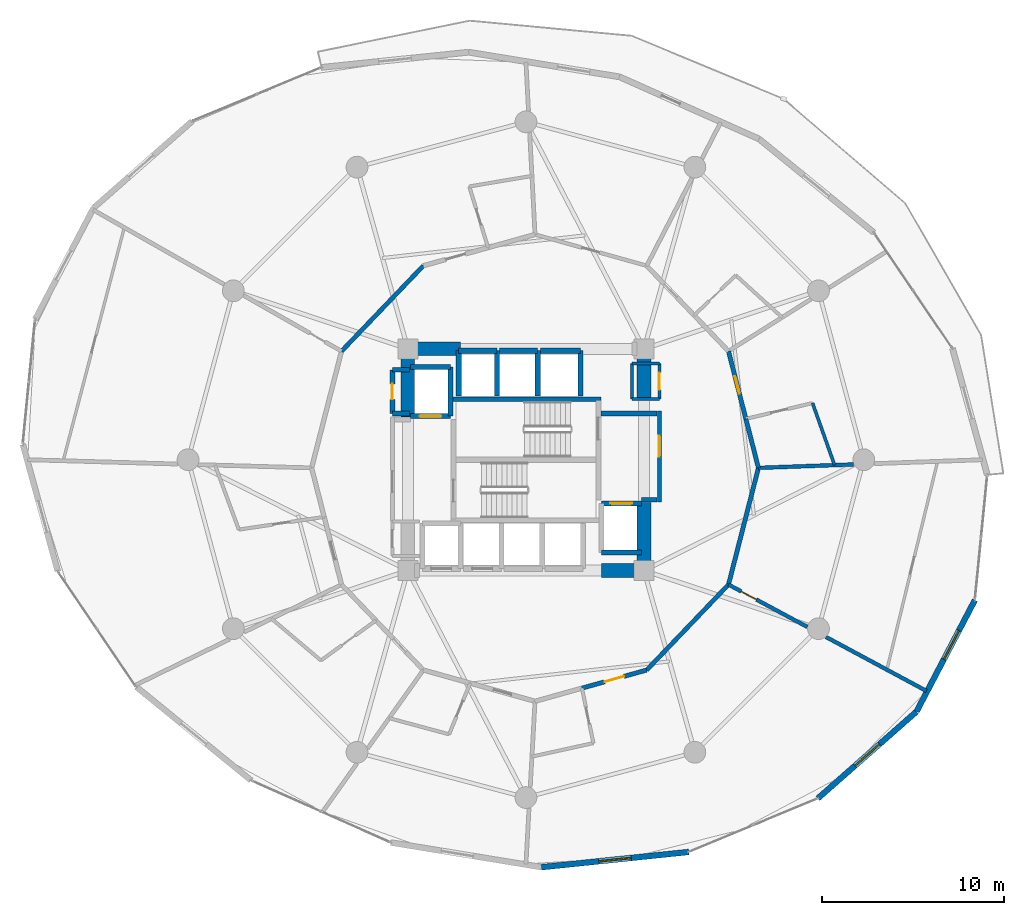
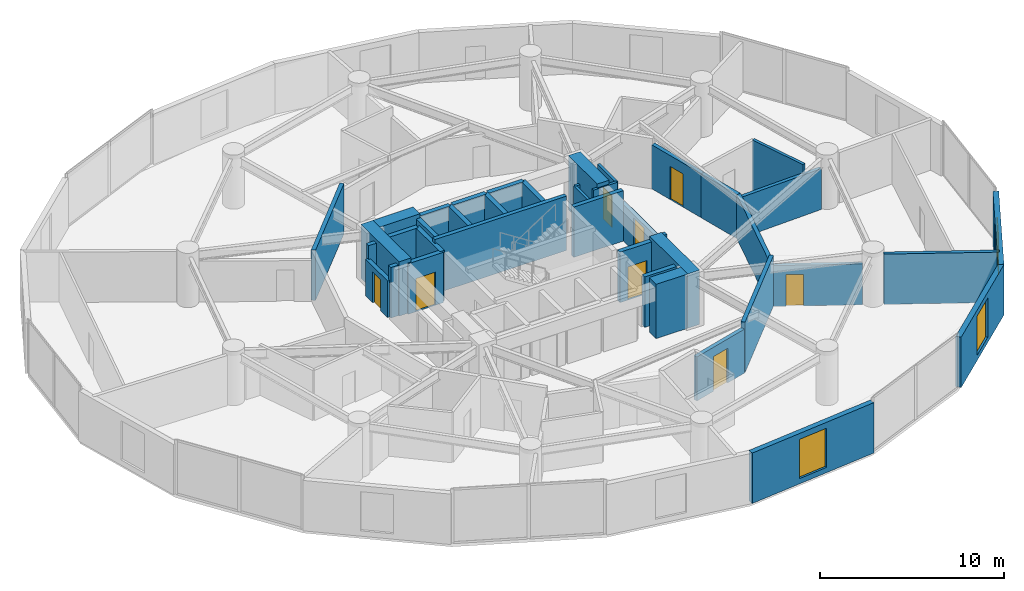
# One storey, part 21 of 26: 41 walls, 8 doors, 3 windows, 11 openings.
"""IFC4 building model written with IfcOpenShell, lengths in metres."""

from ifc_helpers import new_model, si_unit, direction, frame, frame_2d, origin, place, context, subcontext, project, spatial, rectangle, extrude, material, layer, layer_set, type_object, element, fill, save


model = new_model("IFC4")

# Units and contexts
model_context = context("Model", 3, precision=1e-05, world=origin(), true_north=direction((0.0, 1.0)))
body_context = subcontext(model_context, "Body", "Model", "MODEL_VIEW")
ifc_project = project(units=[si_unit("LENGTHUNIT", "METRE"), si_unit("AREAUNIT", "SQUARE_METRE"), si_unit("VOLUMEUNIT", "CUBIC_METRE"), si_unit("PLANEANGLEUNIT", "RADIAN"), si_unit("MASSUNIT", "GRAM", prefix="KILO")], contexts=[model_context])

# Site, building, storey
site_placement = place(None, origin())
site = spatial("IfcSite", under=ifc_project, at=site_placement, CompositionType="ELEMENT")
building_placement = place(site_placement, origin())
building = spatial("IfcBuilding", under=site, at=building_placement, Name="Solvirekh Grand Hotel", CompositionType="ELEMENT")
storey_placement = place(building_placement, frame((0.0, 0.0, 64.39990234375)))
storey = spatial("IfcBuildingStorey", under=building, at=storey_placement, Name="L15", CompositionType="ELEMENT", Elevation=64.39990234375)

# Walls
ifc_material_1 = material(Name="Concrete C50/60", Category="concrete")
ifc_layer_1 = layer(ifc_material_1, 0.35009765625)
ifc_layer_set_1 = layer_set([ifc_layer_1], Name="Concrete C50/60")
wall_type_1 = type_object("IfcWallType", Name="CoreDivWall_RC350", PredefinedType="SOLIDWALL", material=ifc_layer_set_1)
wall_1_placement = place(storey_placement, frame((-4.1298828125, 3.324951171875, 0.0), z_axis=(0.0, 0.0, 1.0), x_axis=(1.0, 0.0, 0.0)))
element("IfcWall", 1, at=wall_1_placement, inside=storey, type_object=wall_type_1, Name="L15 core stair box wall ST-N", PredefinedType="SOLIDWALL", context=body_context, shape_type="SweptSolid", body=[
    extrude(rectangle(XDim=8.259765625, YDim=0.25, at=frame_2d((4.1298828125, 0.0))), origin(), (0.0, 0.0, 1.0), 3.60009765625),
])
ifc_material_2 = material(Name="Concrete C40/50", Category="concrete")
ifc_layer_2 = layer(ifc_material_2, 0.280029296875)
ifc_layer_set_2 = layer_set([ifc_layer_2], Name="Concrete C40/50")
wall_type_2 = type_object("IfcWallType", Name="CoreShaftWall_RC280", PredefinedType="SOLIDWALL", material=ifc_layer_set_2)
wall_2_placement = place(storey_placement, frame((-1.60009765625, 6.0, 0.0), z_axis=(0.0, 0.0, 1.0), x_axis=(-1.0, 0.0, 0.0)))
element("IfcWall", 2, at=wall_2_placement, inside=storey, type_object=wall_type_2, Name="L15 HP-1 hoistway N wall", PredefinedType="SOLIDWALL", context=body_context, shape_type="SweptSolid", body=[
    extrude(rectangle(XDim=2.099853515625, YDim=0.280029296875, at=frame_2d((1.0498046875, 0.0))), origin(), (0.0, 0.0, 1.0), 3.340087890625),
])
for number, where, z_axis, x_axis, name in (
    (3, (-3.699951171875, 6.0, 0.0), (0.0, 0.0, 1.0), (0.0, -1.0, 0.0), "L15 HP-1 hoistway W wall"),
    (4, (-1.60009765625, 3.5, 0.0), (0.0, 0.0, 1.0), (0.0, 1.0, 0.0), "L15 HP-1 hoistway E wall"),
):
    element("IfcWall", number, at=place(storey_placement, frame(where, z_axis=z_axis, x_axis=x_axis)), inside=storey, type_object=wall_type_2, Name=name, PredefinedType="SOLIDWALL", context=body_context, shape_type="SweptSolid", body=[
        extrude(rectangle(XDim=2.5, YDim=0.280029296875, at=frame_2d((1.25, 0.0))), origin(), (0.0, 0.0, 1.0), 3.340087890625),
    ])
wall_3_placement = place(storey_placement, frame((0.64990234375, 6.0, 0.0), z_axis=(0.0, 0.0, 1.0), x_axis=(-1.0, 0.0, 0.0)))
element("IfcWall", 5, at=wall_3_placement, inside=storey, type_object=wall_type_2, Name="L15 HP-2 hoistway N wall", PredefinedType="SOLIDWALL", context=body_context, shape_type="SweptSolid", body=[
    extrude(rectangle(XDim=2.099853515625, YDim=0.280029296875, at=frame_2d((1.0498046875, 0.0))), origin(), (0.0, 0.0, 1.0), 3.340087890625),
])
wall_4_placement = place(storey_placement, frame((0.64990234375, 3.5, 0.0), z_axis=(0.0, 0.0, 1.0), x_axis=(0.0, 1.0, 0.0)))
element("IfcWall", 6, at=wall_4_placement, inside=storey, type_object=wall_type_2, Name="L15 HP-2 hoistway E wall", PredefinedType="SOLIDWALL", context=body_context, shape_type="SweptSolid", body=[
    extrude(rectangle(XDim=2.5, YDim=0.280029296875, at=frame_2d((1.25, 0.0))), origin(), (0.0, 0.0, 1.0), 3.340087890625),
])
wall_5_placement = place(storey_placement, frame((3.0, 6.0, 0.0), z_axis=(0.0, 0.0, 1.0), x_axis=(-1.0, 0.0, 0.0)))
element("IfcWall", 7, at=wall_5_placement, inside=storey, type_object=wall_type_2, Name="L15 EX-1 hoistway N wall", PredefinedType="SOLIDWALL", context=body_context, shape_type="SweptSolid", body=[
    extrude(rectangle(XDim=2.199951171875, YDim=0.280029296875, at=frame_2d((1.10009765625, 0.0))), origin(), (0.0, 0.0, 1.0), 3.340087890625),
])
wall_6_placement = place(storey_placement, frame((3.0, 3.5, 0.0), z_axis=(0.0, 0.0, 1.0), x_axis=(0.0, 1.0, 0.0)))
element("IfcWall", 8, at=wall_6_placement, inside=storey, type_object=wall_type_2, Name="L15 EX-1 hoistway E wall", PredefinedType="SOLIDWALL", context=body_context, shape_type="SweptSolid", body=[
    extrude(rectangle(XDim=2.5, YDim=0.280029296875, at=frame_2d((1.25, 0.0))), origin(), (0.0, 0.0, 1.0), 3.340087890625),
])

# Wall, opening, door
wall_7_placement = place(storey_placement, frame((-6.35009765625, 2.39990234375, 0.0), z_axis=(0.0, 0.0, 1.0), x_axis=(1.0, 0.0, 0.0)))
wall_7 = element("IfcWall", 9, at=wall_7_placement, inside=storey, type_object=wall_type_2, Name="L15 FL-1 hoistway S wall", PredefinedType="SOLIDWALL", context=body_context, shape_type="SweptSolid", body=[
    extrude(rectangle(XDim=2.2001953125, YDim=0.280029296875, at=frame_2d((1.10009765625, 0.0))), origin(), (0.0, 0.0, 1.0), 3.340087890625),
])
opening_1_placement = place(wall_7_placement, frame((0.5, 0.0, 0.0)))
opening_1 = element("IfcOpeningElement", 10, at=opening_1_placement, cuts=wall_7, Name="Opening LD02", PredefinedType="OPENING", context=body_context, shape_type="SweptSolid", body=[
    extrude(rectangle(XDim=1.199951171875, YDim=2.199951171875, at=frame_2d((0.60009765625, 1.10009765625))), frame((0.0, 0.14990234375, 0.0), z_axis=(0.0, -1.0, 0.0), x_axis=(1.0, 0.0, 0.0)), (0.0, 0.0, 1.0), 0.300048828125),
])
ifc_material_3 = material(Name="Fire-Rated Steel Door Assembly", Category="steel")
door_type_1 = type_object("IfcDoorType", Name="Door_LiftFF_1200X2200", OperationType="SLIDING_TO_LEFT", PredefinedType="DOOR", material=ifc_material_3)
door_1_placement = place(opening_1_placement, origin())
door_1 = element("IfcDoor", 11, at=door_1_placement, inside=storey, type_object=door_type_1, Name="L15 FL-1 sliding lift landing door", OperationType="SLIDING_TO_LEFT", OverallHeight=2.199951171875, OverallWidth=1.199951171875, PredefinedType="DOOR", context=body_context, shape_type="SweptSolid", body=[
    extrude(rectangle(XDim=1.199951171875, YDim=2.199951171875, at=frame_2d((0.60009765625, 1.10009765625))), frame((0.0, 0.02490234375, 0.0), z_axis=(0.0, -1.0, 0.0), x_axis=(1.0, 0.0, 0.0)), (0.0, 0.0, 1.0), 0.050048828125),
])
fill(opening_1, door_1)

# Walls
wall_8_placement = place(storey_placement, frame((-4.14990234375, 5.10009765625, 0.0), z_axis=(0.0, 0.0, 1.0), x_axis=(-1.0, 0.0, 0.0)))
element("IfcWall", 12, at=wall_8_placement, inside=storey, type_object=wall_type_2, Name="L15 FL-1 hoistway N wall", PredefinedType="SOLIDWALL", context=body_context, shape_type="SweptSolid", body=[
    extrude(rectangle(XDim=2.2001953125, YDim=0.280029296875, at=frame_2d((1.10009765625, 0.0))), origin(), (0.0, 0.0, 1.0), 3.340087890625),
])
wall_9_placement = place(storey_placement, frame((-4.14990234375, 2.39990234375, 0.0), z_axis=(0.0, 0.0, 1.0), x_axis=(0.0, 1.0, 0.0)))
element("IfcWall", 13, at=wall_9_placement, inside=storey, type_object=wall_type_2, Name="L15 FL-1 hoistway E wall", PredefinedType="SOLIDWALL", context=body_context, shape_type="SweptSolid", body=[
    extrude(rectangle(XDim=2.7001953125, YDim=0.280029296875, at=frame_2d((1.35009765625, 0.0))), origin(), (0.0, 0.0, 1.0), 3.340087890625),
])
wall_10_placement = place(storey_placement, frame((4.14990234375, -5.10009765625, 0.0), z_axis=(0.0, 0.0, 1.0), x_axis=(1.0, 0.0, 0.0)))
element("IfcWall", 14, at=wall_10_placement, inside=storey, type_object=wall_type_2, Name="L15 FL-2 hoistway S wall", PredefinedType="SOLIDWALL", context=body_context, shape_type="SweptSolid", body=[
    extrude(rectangle(XDim=2.2001953125, YDim=0.280029296875, at=frame_2d((1.10009765625, 0.0))), origin(), (0.0, 0.0, 1.0), 3.340087890625),
])

# Wall, opening, door
wall_11_placement = place(storey_placement, frame((6.35009765625, -2.39990234375, 0.0), z_axis=(0.0, 0.0, 1.0), x_axis=(-1.0, 0.0, 0.0)))
wall_11 = element("IfcWall", 15, at=wall_11_placement, inside=storey, type_object=wall_type_2, Name="L15 FL-2 hoistway N wall", PredefinedType="SOLIDWALL", context=body_context, shape_type="SweptSolid", body=[
    extrude(rectangle(XDim=2.2001953125, YDim=0.280029296875, at=frame_2d((1.10009765625, 0.0))), origin(), (0.0, 0.0, 1.0), 3.340087890625),
])
opening_2_placement = place(wall_11_placement, frame((0.5, 0.0, 0.0)))
opening_2 = element("IfcOpeningElement", 16, at=opening_2_placement, cuts=wall_11, Name="Opening LD02", PredefinedType="OPENING", context=body_context, shape_type="SweptSolid", body=[
    extrude(rectangle(XDim=1.199951171875, YDim=2.199951171875, at=frame_2d((0.60009765625, 1.10009765625))), frame((0.0, 0.14990234375, 0.0), z_axis=(0.0, -1.0, 0.0), x_axis=(1.0, 0.0, 0.0)), (0.0, 0.0, 1.0), 0.300048828125),
])
door_2_placement = place(opening_2_placement, origin())
door_2 = element("IfcDoor", 17, at=door_2_placement, inside=storey, type_object=door_type_1, Name="L15 FL-2 sliding lift landing door", OperationType="SLIDING_TO_LEFT", OverallHeight=2.199951171875, OverallWidth=1.199951171875, PredefinedType="DOOR", context=body_context, shape_type="SweptSolid", body=[
    extrude(rectangle(XDim=1.199951171875, YDim=2.199951171875, at=frame_2d((0.60009765625, 1.10009765625))), frame((0.0, 0.02490234375, 0.0), z_axis=(0.0, -1.0, 0.0), x_axis=(1.0, 0.0, 0.0)), (0.0, 0.0, 1.0), 0.050048828125),
])
fill(opening_2, door_2)

# Walls
ifc_material_4 = material(Name="Concrete C60/75", Category="concrete")
ifc_layer_3 = layer(ifc_material_4, 0.75)
ifc_layer_set_3 = layer_set([ifc_layer_3], Name="Concrete C60/75")
wall_type_3 = type_object("IfcWallType", Name="CoreWall_RC750", PredefinedType="SHEAR", material=ifc_layer_set_3)
wall_12_placement = place(storey_placement, frame((4.14990234375, -6.10009765625, 0.0), z_axis=(0.0, 0.0, 1.0), x_axis=(1.0, 0.0, 0.0)))
element("IfcWall", 18, at=wall_12_placement, inside=storey, type_object=wall_type_3, Name="L15 core corner shear wall SE-S", PredefinedType="SHEAR", context=body_context, shape_type="SweptSolid", body=[
    extrude(rectangle(XDim=1.97509765625, YDim=0.75, at=frame_2d((0.987548828125, 0.0))), origin(), (0.0, 0.0, 1.0), 3.60009765625),
])
wall_13_placement = place(storey_placement, frame((-6.125, 6.10009765625, 0.0), z_axis=(0.0, 0.0, 1.0), x_axis=(1.0, 0.0, 0.0)))
element("IfcWall", 19, at=wall_13_placement, inside=storey, type_object=wall_type_3, Name="L15 core corner shear wall NW-N", PredefinedType="SHEAR", context=body_context, shape_type="SweptSolid", body=[
    extrude(rectangle(XDim=2.52490234375, YDim=0.75, at=frame_2d((1.262451171875, 0.0))), origin(), (0.0, 0.0, 1.0), 3.60009765625),
])
for number, where, z_axis, x_axis, name in (
    (20, (-6.5, 2.35009765625, 0.0), (0.0, 0.0, 1.0), (0.0, 1.0, 0.0), "L15 core corner shear wall WN-W"),
    (21, (6.5, -6.47509765625, 0.0), (0.0, 0.0, 1.0), (0.0, 1.0, 0.0), "L15 core corner shear wall ES-E"),
):
    element("IfcWall", number, at=place(storey_placement, frame(where, z_axis=z_axis, x_axis=x_axis)), inside=storey, type_object=wall_type_3, Name=name, PredefinedType="SHEAR", context=body_context, shape_type="SweptSolid", body=[
        extrude(rectangle(XDim=4.125, YDim=0.75, at=frame_2d((2.0625, 0.0))), origin(), (0.0, 0.0, 1.0), 3.60009765625),
    ])
wall_14_placement = place(storey_placement, frame((6.5, 3.35009765625, 0.0), z_axis=(0.0, 0.0, 1.0), x_axis=(0.0, 1.0, 0.0)))
element("IfcWall", 22, at=wall_14_placement, inside=storey, type_object=wall_type_3, Name="L15 core corner shear wall EN-E", PredefinedType="SHEAR", context=body_context, shape_type="SweptSolid", body=[
    extrude(rectangle(XDim=3.125, YDim=0.75, at=frame_2d((1.5625, 0.0))), origin(), (0.0, 0.0, 1.0), 3.60009765625),
])

# Wall, opening, window
ifc_material_5 = material(Name="Precast concrete C45/55", Category="concrete")
ifc_layer_4 = layer(ifc_material_5, 0.320068359375)
ifc_layer_set_4 = layer_set([ifc_layer_4], Name="Precast concrete C45/55")
wall_type_4 = type_object("IfcWallType", Name="ExtLobbyWall_RC320", PredefinedType="SOLIDWALL", material=ifc_layer_set_4)
wall_15_placement = place(storey_placement, frame((8.958984375, -21.597900390625, 0.0), z_axis=(0.0, 0.0, 1.0), x_axis=(-0.994696973701, -0.102849066644, 0.0)))
wall_15 = element("IfcWall", 23, at=wall_15_placement, inside=storey, type_object=wall_type_4, Name="L15 exterior structural wall chord 17", PredefinedType="SOLIDWALL", context=body_context, shape_type="SweptSolid", body=[
    extrude(rectangle(XDim=8.149169921875, YDim=0.320068359375, at=frame_2d((4.07470703125, 0.0))), origin(), (0.0, 0.0, 1.0), 3.340087890625),
])
opening_3_placement = place(wall_15_placement, frame((3.175048828125, 0.0, 0.35009765625)))
opening_3 = element("IfcOpeningElement", 24, at=opening_3_placement, cuts=wall_15, Name="Opening W02", PredefinedType="OPENING", context=body_context, shape_type="SweptSolid", body=[
    extrude(rectangle(XDim=1.800048828125, YDim=2.60009765625, at=frame_2d((0.89990234375, 1.300048828125))), frame((0.0, 0.169921875, 0.0), z_axis=(0.0, -1.0, 0.0), x_axis=(1.0, 0.0, 0.0)), (0.0, 0.0, 1.0), 0.340087890625),
])
ifc_material_6 = material(Name="Low-E Tinted Bronze Laminated Glass", Category="aluminium")
window_type = type_object("IfcWindowType", Name="Win_LobbyExt_1800X2600", PartitioningType="SINGLE_PANEL", PredefinedType="WINDOW", material=ifc_material_6)
window_1_placement = place(opening_3_placement, origin())
window_1 = element("IfcWindow", 25, at=window_1_placement, inside=storey, type_object=window_type, Name="L15 panoramic bronze-framed window 17", OverallHeight=2.60009765625, OverallWidth=1.800048828125, PartitioningType="SINGLE_PANEL", PredefinedType="WINDOW", context=body_context, shape_type="SweptSolid", body=[
    extrude(rectangle(XDim=1.800048828125, YDim=2.60009765625, at=frame_2d((0.89990234375, 1.300048828125))), frame((0.0, 0.030029296875, 0.0), z_axis=(0.0, -1.0, 0.0), x_axis=(1.0, 0.0, 0.0)), (0.0, 0.0, 1.0), 0.06005859375),
])
fill(opening_3, window_1)

wall_16_placement = place(storey_placement, frame((21.506103515625, -13.866943359375, 0.0), z_axis=(0.0, 0.0, 1.0), x_axis=(-0.750746326024, -0.660590609955, 0.0)))
wall_16 = element("IfcWall", 26, at=wall_16_placement, inside=storey, type_object=wall_type_4, Name="L15 exterior structural wall chord 19", PredefinedType="SOLIDWALL", context=body_context, shape_type="SweptSolid", body=[
    extrude(rectangle(XDim=7.233154296875, YDim=0.320068359375, at=frame_2d((3.61669921875, 0.0))), origin(), (0.0, 0.0, 1.0), 3.340087890625),
])
opening_4_placement = place(wall_16_placement, frame((2.716064453125, 0.0, 0.35009765625)))
opening_4 = element("IfcOpeningElement", 27, at=opening_4_placement, cuts=wall_16, Name="Opening W02", PredefinedType="OPENING", context=body_context, shape_type="SweptSolid", body=[
    extrude(rectangle(XDim=1.800048828125, YDim=2.60009765625, at=frame_2d((0.89990234375, 1.300048828125))), frame((0.0, 0.169921875, 0.0), z_axis=(0.0, -1.0, 0.0), x_axis=(1.0, 0.0, 0.0)), (0.0, 0.0, 1.0), 0.340087890625),
])
window_2_placement = place(opening_4_placement, origin())
window_2 = element("IfcWindow", 28, at=window_2_placement, inside=storey, type_object=window_type, Name="L15 panoramic bronze-framed window 19", OverallHeight=2.60009765625, OverallWidth=1.800048828125, PartitioningType="SINGLE_PANEL", PredefinedType="WINDOW", context=body_context, shape_type="SweptSolid", body=[
    extrude(rectangle(XDim=1.800048828125, YDim=2.60009765625, at=frame_2d((0.89990234375, 1.300048828125))), frame((0.0, 0.030029296875, 0.0), z_axis=(0.0, -1.0, 0.0), x_axis=(1.0, 0.0, 0.0)), (0.0, 0.0, 1.0), 0.06005859375),
])
fill(opening_4, window_2)

wall_17_placement = place(storey_placement, frame((24.718994140625, -7.73193359375, 0.0), z_axis=(0.0, 0.0, 1.0), x_axis=(-0.463929273227, -0.885872242168, 0.0)))
wall_17 = element("IfcWall", 29, at=wall_17_placement, inside=storey, type_object=wall_type_4, Name="L15 exterior structural wall chord 20", PredefinedType="SOLIDWALL", context=body_context, shape_type="SweptSolid", body=[
    extrude(rectangle(XDim=6.92529296875, YDim=0.320068359375, at=frame_2d((3.462646484375, 0.0))), origin(), (0.0, 0.0, 1.0), 3.340087890625),
])
opening_5_placement = place(wall_17_placement, frame((1.883056640625, 0.0, 0.35009765625)))
opening_5 = element("IfcOpeningElement", 30, at=opening_5_placement, cuts=wall_17, Name="Opening W02", PredefinedType="OPENING", context=body_context, shape_type="SweptSolid", body=[
    extrude(rectangle(XDim=1.800048828125, YDim=2.60009765625, at=frame_2d((0.89990234375, 1.300048828125))), frame((0.0, 0.169921875, 0.0), z_axis=(0.0, -1.0, 0.0), x_axis=(1.0, 0.0, 0.0)), (0.0, 0.0, 1.0), 0.340087890625),
])
window_3_placement = place(opening_5_placement, origin())
window_3 = element("IfcWindow", 31, at=window_3_placement, inside=storey, type_object=window_type, Name="L15 panoramic bronze-framed window 20", OverallHeight=2.60009765625, OverallWidth=1.800048828125, PartitioningType="SINGLE_PANEL", PredefinedType="WINDOW", context=body_context, shape_type="SweptSolid", body=[
    extrude(rectangle(XDim=1.800048828125, YDim=2.60009765625, at=frame_2d((0.89990234375, 1.300048828125))), frame((0.0, 0.030029296875, 0.0), z_axis=(0.0, -1.0, 0.0), x_axis=(1.0, 0.0, 0.0)), (0.0, 0.0, 1.0), 0.06005859375),
])
fill(opening_5, window_3)

# Wall
ifc_material_7 = material(Name="Acoustic Gypsum Partition Assembly")
ifc_layer_5 = layer(ifc_material_7, 0.1650390625)
ifc_layer_set_5 = layer_set([ifc_layer_5], Name="Acoustic Gypsum Partition Assembly")
wall_type_5 = type_object("IfcWallType", Name="Part_BOH_165", PredefinedType="PARTITIONING", material=ifc_layer_set_5)
wall_18_placement = place(storey_placement, frame((5.85009765625, 3.35009765625, 0.0), z_axis=(0.0, 0.0, 1.0), x_axis=(1.0, 0.0, 0.0)))
element("IfcWall", 32, at=wall_18_placement, inside=storey, type_object=wall_type_5, Name="L15 L15 Core Housekeeping Room wall 1", PredefinedType="PARTITIONING", context=body_context, shape_type="SweptSolid", body=[
    extrude(rectangle(XDim=1.5, YDim=0.1650390625, at=frame_2d((0.75, 0.0))), origin(), (0.0, 0.0, 1.0), 3.340087890625),
])

# Wall, opening, door
wall_19_placement = place(storey_placement, frame((7.35009765625, 3.35009765625, 0.0), z_axis=(0.0, 0.0, 1.0), x_axis=(0.0, 1.0, 0.0)))
wall_19 = element("IfcWall", 33, at=wall_19_placement, inside=storey, type_object=wall_type_5, Name="L15 L15 Core Housekeeping Room wall 2", PredefinedType="PARTITIONING", context=body_context, shape_type="SweptSolid", body=[
    extrude(rectangle(XDim=1.949951171875, YDim=0.1650390625, at=frame_2d((0.97509765625, 0.0))), origin(), (0.0, 0.0, 1.0), 3.340087890625),
])
opening_6_placement = place(wall_19_placement, frame((0.5, 0.0, 0.0)))
opening_6 = element("IfcOpeningElement", 34, at=opening_6_placement, cuts=wall_19, Name="Opening D10", PredefinedType="OPENING", context=body_context, shape_type="SweptSolid", body=[
    extrude(rectangle(XDim=0.949951171875, YDim=2.10009765625, at=frame_2d((0.47509765625, 1.050048828125))), frame((0.0, 0.092529296875, 0.0), z_axis=(0.0, -1.0, 0.0), x_axis=(1.0, 0.0, 0.0)), (0.0, 0.0, 1.0), 0.18505859375),
])
ifc_material_8 = material(Name="Anodized Bronze Aluminium 6063-T6", Category="aluminium")
door_type_2 = type_object("IfcDoorType", Name="Door_RoomInt_950X2100", OperationType="NOTDEFINED", PredefinedType="DOOR", material=ifc_material_8)
door_3_placement = place(opening_6_placement, origin())
door_3 = element("IfcDoor", 35, at=door_3_placement, inside=storey, type_object=door_type_2, Name="L15 L15 Core Housekeeping Room door", OperationType="SINGLE_SWING_RIGHT", OverallHeight=2.10009765625, OverallWidth=0.949951171875, PredefinedType="DOOR", context=body_context, shape_type="SweptSolid", body=[
    extrude(rectangle(XDim=0.949951171875, YDim=2.10009765625, at=frame_2d((0.47509765625, 1.050048828125))), frame((0.0, 0.02490234375, 0.0), z_axis=(0.0, -1.0, 0.0), x_axis=(1.0, 0.0, 0.0)), (0.0, 0.0, 1.0), 0.050048828125),
])
fill(opening_6, door_3)

# Walls
wall_20_placement = place(storey_placement, frame((7.35009765625, 5.300048828125, 0.0), z_axis=(0.0, 0.0, 1.0), x_axis=(-1.0, 0.0, 0.0)))
element("IfcWall", 36, at=wall_20_placement, inside=storey, type_object=wall_type_5, Name="L15 L15 Core Housekeeping Room wall 3", PredefinedType="PARTITIONING", context=body_context, shape_type="SweptSolid", body=[
    extrude(rectangle(XDim=1.5, YDim=0.1650390625, at=frame_2d((0.75, 0.0))), origin(), (0.0, 0.0, 1.0), 2.425048828125),
])
wall_21_placement = place(storey_placement, frame((5.85009765625, 5.300048828125, 0.0), z_axis=(0.0, 0.0, 1.0), x_axis=(0.0, -1.0, 0.0)))
element("IfcWall", 37, at=wall_21_placement, inside=storey, type_object=wall_type_5, Name="L15 L15 Core Housekeeping Room wall 4", PredefinedType="PARTITIONING", context=body_context, shape_type="SweptSolid", body=[
    extrude(rectangle(XDim=1.949951171875, YDim=0.1650390625, at=frame_2d((0.97509765625, 0.0))), origin(), (0.0, 0.0, 1.0), 2.425048828125),
])

# Wall, opening, door
ifc_layer_6 = layer(ifc_material_7, 0.239990234375)
ifc_layer_set_6 = layer_set([ifc_layer_6], Name="Acoustic Gypsum Partition Assembly")
wall_type_6 = type_object("IfcWallType", Name="Part_Corridor_240", PredefinedType="PARTITIONING", material=ifc_layer_set_6)
wall_22_placement = place(storey_placement, frame((7.35009765625, -2.340087890625, 0.0), z_axis=(0.0, 0.0, 1.0), x_axis=(0.0, 1.0, 0.0)))
wall_22 = element("IfcWall", 38, at=wall_22_placement, inside=storey, type_object=wall_type_6, Name="L15 east firefighting lobby smoke screen wall", PredefinedType="PARTITIONING", context=body_context, shape_type="SweptSolid", body=[
    extrude(rectangle(XDim=5.02001953125, YDim=0.239990234375, at=frame_2d((2.510009765625, 0.0))), origin(), (0.0, 0.0, 1.0), 2.425048828125),
])
opening_7_placement = place(wall_22_placement, frame((2.514892578125, 0.0, 0.0)))
opening_7 = element("IfcOpeningElement", 39, at=opening_7_placement, cuts=wall_22, Name="Opening D06", PredefinedType="OPENING", context=body_context, shape_type="SweptSolid", body=[
    extrude(rectangle(XDim=1.14990234375, YDim=2.199951171875, at=frame_2d((0.574951171875, 1.10009765625))), frame((0.0, 0.1298828125, 0.0), z_axis=(0.0, -1.0, 0.0), x_axis=(1.0, 0.0, 0.0)), (0.0, 0.0, 1.0), 0.260009765625),
])
door_type_3 = type_object("IfcDoorType", Name="Door_FFLobby_1150X2200", OperationType="NOTDEFINED", PredefinedType="DOOR", material=ifc_material_3)
door_4_placement = place(opening_7_placement, origin())
door_4 = element("IfcDoor", 40, at=door_4_placement, inside=storey, type_object=door_type_3, Name="L15 east firefighting lobby smoke door", OperationType="SINGLE_SWING_LEFT", OverallHeight=2.199951171875, OverallWidth=1.14990234375, PredefinedType="DOOR", context=body_context, shape_type="SweptSolid", body=[
    extrude(rectangle(XDim=1.14990234375, YDim=2.199951171875, at=frame_2d((0.574951171875, 1.10009765625))), frame((0.0, 0.02490234375, 0.0), z_axis=(0.0, -1.0, 0.0), x_axis=(1.0, 0.0, 0.0)), (0.0, 0.0, 1.0), 0.050048828125),
])
fill(opening_7, door_4)

# Walls
for number, where, z_axis, x_axis, name in (
    (41, (-5.64990234375, 10.677978515625, 0.0), (0.0, 0.0, 1.0), (-0.691526541012, -0.72235105252, 0.0), "L15 Diplomatic Suite 1701 Living Room corridor wall 1"),
    (42, (6.64990234375, -11.577880859375, 0.0), (0.0, 0.0, 1.0), (0.691526541012, 0.72235105252, 0.0), "L15 Diplomatic Suite 1705 Living Room corridor wall 1"),
):
    element("IfcWall", number, at=place(storey_placement, frame(where, z_axis=z_axis, x_axis=x_axis)), inside=storey, type_object=wall_type_6, Name=name, PredefinedType="PARTITIONING", context=body_context, shape_type="SweptSolid", body=[
        extrude(rectangle(XDim=6.510498046875, YDim=0.239990234375, at=frame_2d((3.25537109375, 0.0))), origin(), (0.0, 0.0, 1.0), 3.340087890625),
    ])

# Wall, opening, door
wall_23_placement = place(storey_placement, frame((3.0830078125, -12.576904296875, 0.0), z_axis=(0.0, 0.0, 1.0), x_axis=(0.962943481199, 0.269703266603, 0.0)))
wall_23 = element("IfcWall", 43, at=wall_23_placement, inside=storey, type_object=wall_type_6, Name="L15 Diplomatic Suite 1705 Living Room entrance wall", PredefinedType="PARTITIONING", context=body_context, shape_type="SweptSolid", body=[
    extrude(rectangle(XDim=3.7041015625, YDim=0.239990234375, at=frame_2d((1.85205078125, 0.0))), origin(), (0.0, 0.0, 1.0), 2.9169921875),
])
opening_8_placement = place(wall_23_placement, frame((1.302001953125, 0.0, 0.0)))
opening_8 = element("IfcOpeningElement", 44, at=opening_8_placement, cuts=wall_23, Name="Opening D08", PredefinedType="OPENING", context=body_context, shape_type="SweptSolid", body=[
    extrude(rectangle(XDim=1.10009765625, YDim=2.300048828125, at=frame_2d((0.550048828125, 1.14990234375))), frame((0.0, 0.1298828125, 0.0), z_axis=(0.0, -1.0, 0.0), x_axis=(1.0, 0.0, 0.0)), (0.0, 0.0, 1.0), 0.260009765625),
])
door_type_4 = type_object("IfcDoorType", Name="Door_SuiteEntry_1100X2300", OperationType="NOTDEFINED", PredefinedType="DOOR", material=ifc_material_3)
door_5_placement = place(opening_8_placement, origin())
door_5 = element("IfcDoor", 45, at=door_5_placement, inside=storey, type_object=door_type_4, Name="L15 Diplomatic Suite 1705 Living Room entrance door", OperationType="SINGLE_SWING_RIGHT", OverallHeight=2.300048828125, OverallWidth=1.10009765625, PredefinedType="DOOR", context=body_context, shape_type="SweptSolid", body=[
    extrude(rectangle(XDim=1.10009765625, YDim=2.300048828125, at=frame_2d((0.550048828125, 1.14990234375))), frame((0.0, 0.02490234375, 0.0), z_axis=(0.0, -1.0, 0.0), x_axis=(1.0, 0.0, 0.0)), (0.0, 0.0, 1.0), 0.050048828125),
])
fill(opening_8, door_5)

# Walls
wall_24_placement = place(storey_placement, frame((11.152099609375, -6.875, 0.0), z_axis=(0.0, 0.0, 1.0), x_axis=(0.248446193127, 0.968645698447, 0.0)))
element("IfcWall", 46, at=wall_24_placement, inside=storey, type_object=wall_type_6, Name="L15 Diplomatic Suite 1705 Suite Foyer corridor enclosure wall", PredefinedType="PARTITIONING", context=body_context, shape_type="SweptSolid", body=[
    extrude(rectangle(XDim=6.633056640625, YDim=0.239990234375, at=frame_2d((3.31640625, 0.0))), origin(), (0.0, 0.0, 1.0), 2.9169921875),
])
wall_25_placement = place(storey_placement, frame((12.800048828125, -0.449951171875, 0.0), z_axis=(0.0, 0.0, 1.0), x_axis=(-0.248491333658, 0.968634119313, 0.0)))
element("IfcWall", 47, at=wall_25_placement, inside=storey, type_object=wall_type_6, Name="L15 En-suite Bathroom 1706 corridor backing wall", PredefinedType="PARTITIONING", context=body_context, shape_type="SweptSolid", body=[
    extrude(rectangle(XDim=2.785400390625, YDim=0.239990234375, at=frame_2d((1.392578125, 0.0))), origin(), (0.0, 0.0, 1.0), 2.9169921875),
])

# Wall, opening, door
wall_26_placement = place(storey_placement, frame((12.10791015625, 2.248046875, 0.0), z_axis=(0.0, 0.0, 1.0), x_axis=(-0.248413515056, 0.9686540794, 0.0)))
wall_26 = element("IfcWall", 48, at=wall_26_placement, inside=storey, type_object=wall_type_6, Name="L15 Deluxe Guestroom 1706 entrance wall", PredefinedType="PARTITIONING", context=body_context, shape_type="SweptSolid", body=[
    extrude(rectangle(XDim=3.84765625, YDim=0.239990234375, at=frame_2d((1.923828125, 0.0))), origin(), (0.0, 0.0, 1.0), 2.9169921875),
])
opening_9_placement = place(wall_26_placement, frame((1.424072265625, 0.0, 0.0)))
opening_9 = element("IfcOpeningElement", 49, at=opening_9_placement, cuts=wall_26, Name="Opening D07", PredefinedType="OPENING", context=body_context, shape_type="SweptSolid", body=[
    extrude(rectangle(XDim=1.0, YDim=2.199951171875, at=frame_2d((0.5, 1.10009765625))), frame((0.0, 0.1298828125, 0.0), z_axis=(0.0, -1.0, 0.0), x_axis=(1.0, 0.0, 0.0)), (0.0, 0.0, 1.0), 0.260009765625),
])
door_type_5 = type_object("IfcDoorType", Name="Door_GuestEntry_1000X2200", OperationType="NOTDEFINED", PredefinedType="DOOR", material=ifc_material_3)
door_6_placement = place(opening_9_placement, origin())
door_6 = element("IfcDoor", 50, at=door_6_placement, inside=storey, type_object=door_type_5, Name="L15 Deluxe Guestroom 1706 entrance door", OperationType="SINGLE_SWING_RIGHT", OverallHeight=2.199951171875, OverallWidth=1.0, PredefinedType="DOOR", context=body_context, shape_type="SweptSolid", body=[
    extrude(rectangle(XDim=1.0, YDim=2.199951171875, at=frame_2d((0.5, 1.10009765625))), frame((0.0, 0.02490234375, 0.0), z_axis=(0.0, -1.0, 0.0), x_axis=(1.0, 0.0, 0.0)), (0.0, 0.0, 1.0), 0.050048828125),
])
fill(opening_9, door_6)

# Walls
ifc_layer_7 = layer(ifc_material_7, 0.260009765625)
ifc_layer_set_7 = layer_set([ifc_layer_7], Name="Acoustic Gypsum Partition Assembly")
wall_type_7 = type_object("IfcWallType", Name="Part_LobbyFF_260", PredefinedType="PARTITIONING", material=ifc_layer_set_7)
wall_27_placement = place(storey_placement, frame((6.35009765625, -2.2099609375, 0.0), z_axis=(0.0, 0.0, 1.0), x_axis=(1.0, 0.0, 0.0)))
element("IfcWall", 51, at=wall_27_placement, inside=storey, type_object=wall_type_7, Name="L15 east firefighting lobby SE cheek", PredefinedType="PARTITIONING", context=body_context, shape_type="SweptSolid", body=[
    extrude(rectangle(XDim=0.875, YDim=0.260009765625, at=frame_2d((0.4375, 0.0))), origin(), (0.0, 0.0, 1.0), 3.340087890625),
])
wall_28_placement = place(storey_placement, frame((4.1298828125, 2.550048828125, 0.0), z_axis=(0.0, 0.0, 1.0), x_axis=(1.0, 0.0, 0.0)))
element("IfcWall", 52, at=wall_28_placement, inside=storey, type_object=wall_type_7, Name="L15 east firefighting lobby north partition", PredefinedType="PARTITIONING", context=body_context, shape_type="SweptSolid", body=[
    extrude(rectangle(XDim=3.09521484375, YDim=0.260009765625, at=frame_2d((1.547607421875, 0.0))), origin(), (0.0, 0.0, 1.0), 3.340087890625),
])
for number, where, z_axis, x_axis, name in (
    (53, (-7.35009765625, 4.949951171875, 0.0), (0.0, 0.0, 1.0), (1.0, 0.0, 0.0), "L15 NW telecom metering cupboard north wall"),
    (54, (-7.35009765625, 2.550048828125, 0.0), (0.0, 0.0, 1.0), (1.0, 0.0, 0.0), "L15 NW telecom metering cupboard south wall"),
):
    element("IfcWall", number, at=place(storey_placement, frame(where, z_axis=z_axis, x_axis=x_axis)), inside=storey, type_object=wall_type_7, Name=name, PredefinedType="PARTITIONING", context=body_context, shape_type="SweptSolid", body=[
        extrude(rectangle(XDim=0.93017578125, YDim=0.260009765625, at=frame_2d((0.465087890625, 0.0))), origin(), (0.0, 0.0, 1.0), 3.340087890625),
    ])

# Wall, opening, door
wall_29_placement = place(storey_placement, frame((-7.35009765625, 2.550048828125, 0.0), z_axis=(0.0, 0.0, 1.0), x_axis=(0.0, 1.0, 0.0)))
wall_29 = element("IfcWall", 55, at=wall_29_placement, inside=storey, type_object=wall_type_7, Name="L15 NW telecom metering cupboard access wall", PredefinedType="PARTITIONING", context=body_context, shape_type="SweptSolid", body=[
    extrude(rectangle(XDim=2.39990234375, YDim=0.260009765625, at=frame_2d((1.199951171875, 0.0))), origin(), (0.0, 0.0, 1.0), 2.425048828125),
])
opening_10_placement = place(wall_29_placement, frame((0.77490234375, 0.0, 0.0)))
opening_10 = element("IfcOpeningElement", 56, at=opening_10_placement, cuts=wall_29, Name="Opening D13", PredefinedType="OPENING", context=body_context, shape_type="SweptSolid", body=[
    extrude(rectangle(XDim=0.85009765625, YDim=2.050048828125, at=frame_2d((0.425048828125, 1.02490234375))), frame((0.0, 0.14013671875, 0.0), z_axis=(0.0, -1.0, 0.0), x_axis=(1.0, 0.0, 0.0)), (0.0, 0.0, 1.0), 0.280029296875),
])
door_type_6 = type_object("IfcDoorType", Name="Door_RiserShaft_850X2050", OperationType="NOTDEFINED", PredefinedType="DOOR", material=ifc_material_3)
door_7_placement = place(opening_10_placement, origin())
door_7 = element("IfcDoor", 57, at=door_7_placement, inside=storey, type_object=door_type_6, Name="L15 telecom metering cupboard access door", OperationType="SINGLE_SWING_RIGHT", OverallHeight=2.050048828125, OverallWidth=0.85009765625, PredefinedType="DOOR", context=body_context, shape_type="SweptSolid", body=[
    extrude(rectangle(XDim=0.85009765625, YDim=2.050048828125, at=frame_2d((0.425048828125, 1.02490234375))), frame((0.0, 0.02490234375, 0.0), z_axis=(0.0, -1.0, 0.0), x_axis=(1.0, 0.0, 0.0)), (0.0, 0.0, 1.0), 0.050048828125),
])
fill(opening_10, door_7)

# Wall
ifc_layer_8 = layer(ifc_material_7, 0.2099609375)
ifc_layer_set_8 = layer_set([ifc_layer_8], Name="Acoustic Gypsum Partition Assembly")
wall_type_8 = type_object("IfcWallType", Name="Part_SuiteDemise_210", PredefinedType="PARTITIONING", material=ifc_layer_set_8)
wall_30_placement = place(storey_placement, frame((12.800048828125, -0.449951171875, 0.0), z_axis=(0.0, 0.0, 1.0), x_axis=(0.999336171626, 0.036430976934, 0.0)))
element("IfcWall", 58, at=wall_30_placement, inside=storey, type_object=wall_type_8, Name="L15 suite radial wall 1 (A)", PredefinedType="PARTITIONING", context=body_context, shape_type="SweptSolid", body=[
    extrude(rectangle(XDim=5.240478515625, YDim=0.2099609375, at=frame_2d((2.6201171875, 0.0))), origin(), (0.0, 0.0, 1.0), 2.7080078125),
])

# Wall, opening, door
wall_31_placement = place(storey_placement, frame((11.152099609375, -6.875, 0.0), z_axis=(0.0, 0.0, 1.0), x_axis=(0.880939761167, -0.473228419682, 0.0)))
wall_31 = element("IfcWall", 59, at=wall_31_placement, inside=storey, type_object=wall_type_8, Name="L15 suite radial wall 12 (A)", PredefinedType="PARTITIONING", context=body_context, shape_type="SweptSolid", body=[
    extrude(rectangle(XDim=4.929931640625, YDim=0.2099609375, at=frame_2d((2.46484375, 0.0))), origin(), (0.0, 0.0, 1.0), 2.7080078125),
])
opening_11_placement = place(wall_31_placement, frame((0.7958984375, 0.0, 0.0)))
opening_11 = element("IfcOpeningElement", 60, at=opening_11_placement, cuts=wall_31, Name="Opening D10", PredefinedType="OPENING", context=body_context, shape_type="SweptSolid", body=[
    extrude(rectangle(XDim=0.949951171875, YDim=2.10009765625, at=frame_2d((0.47509765625, 1.050048828125))), frame((0.0, 0.114990234375, 0.0), z_axis=(0.0, -1.0, 0.0), x_axis=(1.0, 0.0, 0.0)), (0.0, 0.0, 1.0), 0.22998046875),
])
door_8_placement = place(opening_11_placement, origin())
door_8 = element("IfcDoor", 61, at=door_8_placement, inside=storey, type_object=door_type_2, Name="L15 Diplomatic Suite 1705 Suite Foyer suite connecting door", OperationType="SINGLE_SWING_LEFT", OverallHeight=2.10009765625, OverallWidth=0.949951171875, PredefinedType="DOOR", context=body_context, shape_type="SweptSolid", body=[
    extrude(rectangle(XDim=0.949951171875, YDim=2.10009765625, at=frame_2d((0.47509765625, 1.050048828125))), frame((0.0, 0.02490234375, 0.0), z_axis=(0.0, -1.0, 0.0), x_axis=(1.0, 0.0, 0.0)), (0.0, 0.0, 1.0), 0.050048828125),
])
fill(opening_11, door_8)

# Walls
wall_32_placement = place(storey_placement, frame((16.52294921875, -9.760986328125, 0.0), z_axis=(0.0, 0.0, 1.0), x_axis=(0.88092509849, -0.473255714017, 0.0)))
element("IfcWall", 62, at=wall_32_placement, inside=storey, type_object=wall_type_8, Name="L15 suite radial wall 12 (B)", PredefinedType="PARTITIONING", context=body_context, shape_type="SweptSolid", body=[
    extrude(rectangle(XDim=6.27978515625, YDim=0.2099609375, at=frame_2d((3.139892578125, 0.0))), origin(), (0.0, 0.0, 1.0), 3.340087890625),
])
ifc_layer_9 = layer(ifc_material_7, 0.175048828125)
ifc_layer_set_9 = layer_set([ifc_layer_9], Name="Acoustic Gypsum Partition Assembly")
wall_type_9 = type_object("IfcWallType", Name="Plumb_Ensuite_175", PredefinedType="PLUMBINGWALL", material=ifc_layer_set_9)
wall_33_placement = place(storey_placement, frame((16.991943359375, -0.297119140625, 0.0), z_axis=(0.0, 0.0, 1.0), x_axis=(-0.334919300085, 0.942246816089, 0.0)))
element("IfcWall", 63, at=wall_33_placement, inside=storey, type_object=wall_type_9, Name="L15 En-suite Bathroom 1706 outer plumbing wall", PredefinedType="PLUMBINGWALL", context=body_context, shape_type="SweptSolid", body=[
    extrude(rectangle(XDim=3.624267578125, YDim=0.175048828125, at=frame_2d((1.81201171875, 0.0))), origin(), (0.0, 0.0, 1.0), 3.340087890625),
])

save(model, "model.ifc")
